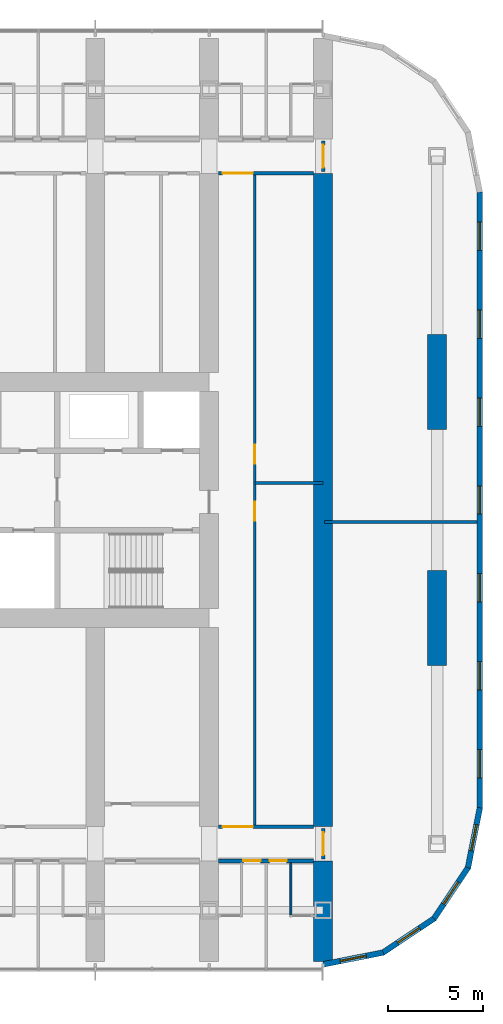
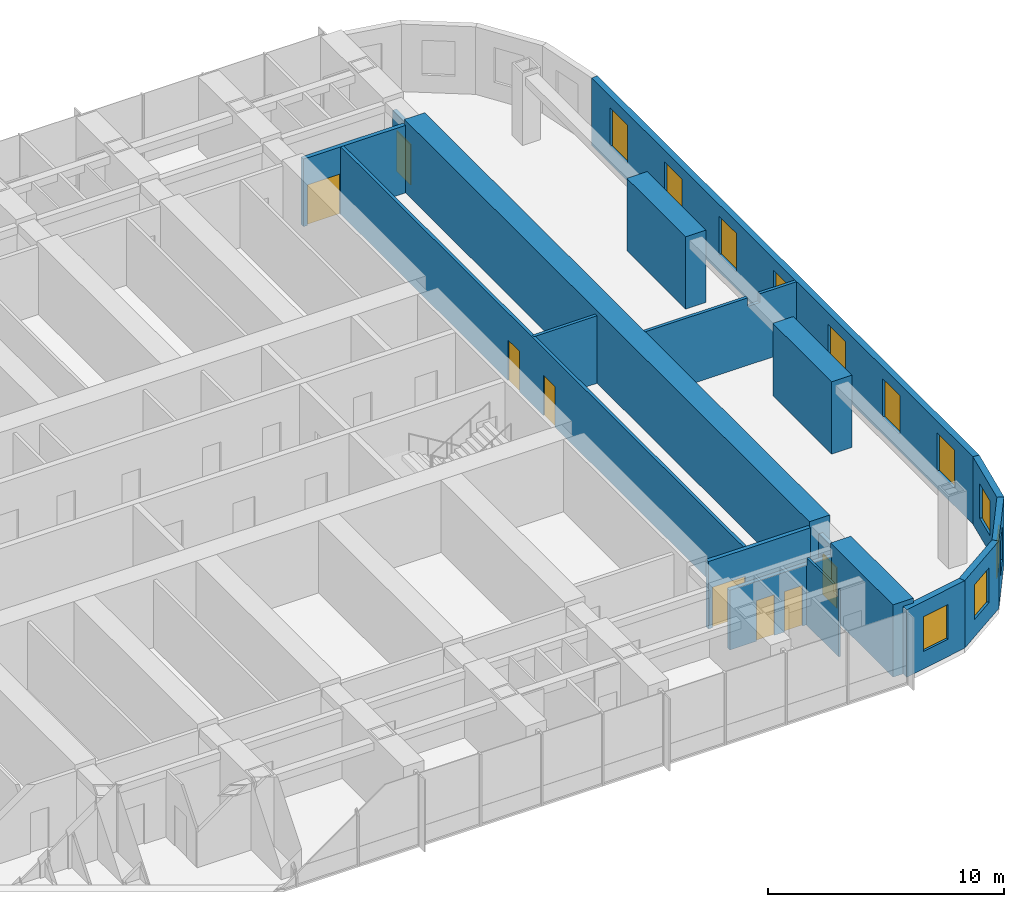
# One storey, part 17 of 23: 18 walls, 11 windows, 8 doors, 19 openings.
"""IFC4 building model written with IfcOpenShell, lengths in metres."""

from ifc_helpers import new_model, si_unit, direction, frame, frame_2d, origin, place, context, subcontext, project, spatial, polyline, rectangle, outline, extrude, material, layer, layer_set, type_object, element, fill, save


model = new_model("IFC4")

# Units and contexts
model_context = context("Model", 3, precision=1e-05, world=origin(), true_north=direction((0.0, 1.0)))
body_context = subcontext(model_context, "Body", "Model", "MODEL_VIEW")
ifc_project = project(units=[si_unit("LENGTHUNIT", "METRE"), si_unit("AREAUNIT", "SQUARE_METRE"), si_unit("VOLUMEUNIT", "CUBIC_METRE"), si_unit("PLANEANGLEUNIT", "RADIAN"), si_unit("MASSUNIT", "GRAM", prefix="KILO")], contexts=[model_context])

# Site, building, storey
site_placement = place(None, origin())
site = spatial("IfcSite", under=ifc_project, at=site_placement, CompositionType="ELEMENT")
building_placement = place(site_placement, origin())
building = spatial("IfcBuilding", under=site, at=building_placement, Name="Orbita Commons", CompositionType="ELEMENT")
storey_placement = place(building_placement, frame((0.0, 0.0, 42.699951171875)))
storey = spatial("IfcBuildingStorey", under=building, at=storey_placement, Name="L10", CompositionType="ELEMENT", Elevation=42.699951171875)

# Wall, openings, doors
ifc_material_1 = material(Name="Concrete blockwork", Category="masonry")
ifc_layer_1 = layer(ifc_material_1, 0.199951171875)
ifc_layer_set_1 = layer_set([ifc_layer_1], Name="Concrete blockwork")
wall_type_1 = type_object("IfcWallType", Name="Corridor wall 200 blockwork", PredefinedType="SOLIDWALL", material=ifc_layer_set_1)
wall_1_placement = place(storey_placement, frame((66.5, 13.0, 0.0), z_axis=(0.0, 0.0, 1.0), x_axis=(1.0, 0.0, 0.0)))
wall_1 = element("IfcWall", 1, at=wall_1_placement, inside=storey, type_object=wall_type_1, Name="Corridor wall 200 blockwork L10", PredefinedType="SOLIDWALL", context=body_context, shape_type="SweptSolid", body=[
    extrude(outline(polyline([(0.0, 0.0), (5.0, 0.0), (5.0, 3.10009765625), (0.0, 3.10009765625), (0.0, 0.0)])), frame((0.0, 0.10009765625, 0.0), z_axis=(0.0, -1.0, 0.0), x_axis=(1.0, 0.0, 0.0)), (0.0, 0.0, 1.0), 0.199951171875),
])
opening_1_placement = place(wall_1_placement, frame((1.300048828125, 0.0, 0.0)))
opening_1 = element("IfcOpeningElement", 2, at=opening_1_placement, cuts=wall_1, Name="Opening D11", PredefinedType="OPENING", context=body_context, shape_type="SweptSolid", body=[
    extrude(rectangle(XDim=0.89990234375, YDim=2.10009765625, at=frame_2d((0.449951171875, 1.050048828125))), frame((0.0, 0.10986328125, 0.0), z_axis=(0.0, -1.0, 0.0), x_axis=(1.0, 0.0, 0.0)), (0.0, 0.0, 1.0), 0.219970703125),
])
opening_2_placement = place(wall_1_placement, frame((2.675048828125, 0.0, 0.0)))
opening_2 = element("IfcOpeningElement", 3, at=opening_2_placement, cuts=wall_1, Name="Opening D11", PredefinedType="OPENING", context=body_context, shape_type="SweptSolid", body=[
    extrude(rectangle(XDim=0.89990234375, YDim=2.10009765625, at=frame_2d((0.449951171875, 1.050048828125))), frame((0.0, 0.10986328125, 0.0), z_axis=(0.0, -1.0, 0.0), x_axis=(1.0, 0.0, 0.0)), (0.0, 0.0, 1.0), 0.219970703125),
])
ifc_material_2 = material(Name="Steel-faced fire door leaf", Category="steel")
door_type_1 = type_object("IfcDoorType", Name="Corridor door 20 min 900x2100", OperationType="SINGLE_SWING_LEFT", PredefinedType="DOOR", material=ifc_material_2)
door_1_placement = place(opening_1_placement, origin())
door_1 = element("IfcDoor", 4, at=door_1_placement, inside=storey, type_object=door_type_1, Name="House bedroom L10-S18 door", OperationType="SINGLE_SWING_LEFT", OverallHeight=2.10009765625, OverallWidth=0.89990234375, PredefinedType="DOOR", context=body_context, shape_type="SweptSolid", body=[
    extrude(rectangle(XDim=0.89990234375, YDim=2.10009765625, at=frame_2d((0.449951171875, 1.050048828125))), frame((0.0, 0.02490234375, 0.0), z_axis=(0.0, -1.0, 0.0), x_axis=(1.0, 0.0, 0.0)), (0.0, 0.0, 1.0), 0.050048828125),
])
fill(opening_1, door_1)
door_2_placement = place(opening_2_placement, origin())
door_2 = element("IfcDoor", 5, at=door_2_placement, inside=storey, type_object=door_type_1, Name="House bedroom L10-S19 door", OperationType="SINGLE_SWING_LEFT", OverallHeight=2.10009765625, OverallWidth=0.89990234375, PredefinedType="DOOR", context=body_context, shape_type="SweptSolid", body=[
    extrude(rectangle(XDim=0.89990234375, YDim=2.10009765625, at=frame_2d((0.449951171875, 1.050048828125))), frame((0.0, 0.02490234375, 0.0), z_axis=(0.0, -1.0, 0.0), x_axis=(1.0, 0.0, 0.0)), (0.0, 0.0, 1.0), 0.050048828125),
])
fill(opening_2, door_2)

# Wall, opening, door
wall_2_placement = place(storey_placement, frame((72.0, 13.10009765625, 0.0), z_axis=(0.0, 0.0, 1.0), x_axis=(0.0, 1.0, 0.0)))
wall_2 = element("IfcWall", 6, at=wall_2_placement, inside=storey, type_object=wall_type_1, Name="Corridor wall 200 blockwork L10", PredefinedType="SOLIDWALL", context=body_context, shape_type="SweptSolid", body=[
    extrude(outline(polyline([(0.0, 0.0), (1.599853515625, 0.0), (1.60009765625, 3.050048828125), (0.0, 3.050048828125), (0.0, 0.0)])), frame((0.0, 0.10009765625, 0.0), z_axis=(0.0, -1.0, 0.0), x_axis=(1.0, 0.0, 0.0)), (0.0, 0.0, 1.0), 0.199951171875),
])
opening_3_placement = place(wall_2_placement, frame((0.199951171875, 0.0, 0.0)))
opening_3 = element("IfcOpeningElement", 7, at=opening_3_placement, cuts=wall_2, Name="Opening D12", PredefinedType="OPENING", context=body_context, shape_type="SweptSolid", body=[
    extrude(rectangle(XDim=1.199951171875, YDim=2.10009765625, at=frame_2d((0.60009765625, 1.050048828125))), frame((0.0, 0.10986328125, 0.0), z_axis=(0.0, -1.0, 0.0), x_axis=(1.0, 0.0, 0.0)), (0.0, 0.0, 1.0), 0.219970703125),
])
ifc_material_3 = material(Name="Steel-faced fire door leaf", Category="steel")
door_type_2 = type_object("IfcDoorType", Name="Double corridor door 20 min 1200x2100", OperationType="DOUBLE_DOOR_SINGLE_SWING", PredefinedType="DOOR", material=ifc_material_3)
door_3_placement = place(opening_3_placement, origin())
door_3 = element("IfcDoor", 8, at=door_3_placement, inside=storey, type_object=door_type_2, Name="Lounge doors", OperationType="DOUBLE_DOOR_SINGLE_SWING", OverallHeight=2.10009765625, OverallWidth=1.199951171875, PredefinedType="DOOR", context=body_context, shape_type="SweptSolid", body=[
    extrude(rectangle(XDim=1.199951171875, YDim=2.10009765625, at=frame_2d((0.60009765625, 1.050048828125))), frame((0.0, 0.02490234375, 0.0), z_axis=(0.0, -1.0, 0.0), x_axis=(1.0, 0.0, 0.0)), (0.0, 0.0, 1.0), 0.050048828125),
])
fill(opening_3, door_3)

wall_3_placement = place(storey_placement, frame((72.0, 49.300048828125, 0.0), z_axis=(0.0, 0.0, 1.0), x_axis=(0.0, 1.0, 0.0)))
wall_3 = element("IfcWall", 9, at=wall_3_placement, inside=storey, type_object=wall_type_1, Name="Corridor wall 200 blockwork L10", PredefinedType="SOLIDWALL", context=body_context, shape_type="SweptSolid", body=[
    extrude(outline(polyline([(0.0, 0.0), (1.599853515625, 0.0), (1.60009765625, 3.050048828125), (0.0, 3.050048828125), (0.0, 0.0)])), frame((0.0, 0.10009765625, 0.0), z_axis=(0.0, -1.0, 0.0), x_axis=(1.0, 0.0, 0.0)), (0.0, 0.0, 1.0), 0.199951171875),
])
opening_4_placement = place(wall_3_placement, frame((0.199951171875, 0.0, 0.0)))
opening_4 = element("IfcOpeningElement", 10, at=opening_4_placement, cuts=wall_3, Name="Opening D12", PredefinedType="OPENING", context=body_context, shape_type="SweptSolid", body=[
    extrude(rectangle(XDim=1.199951171875, YDim=2.10009765625, at=frame_2d((0.60009765625, 1.050048828125))), frame((0.0, 0.10986328125, 0.0), z_axis=(0.0, -1.0, 0.0), x_axis=(1.0, 0.0, 0.0)), (0.0, 0.0, 1.0), 0.219970703125),
])
door_4_placement = place(opening_4_placement, origin())
door_4 = element("IfcDoor", 11, at=door_4_placement, inside=storey, type_object=door_type_2, Name="Lounge doors", OperationType="DOUBLE_DOOR_SINGLE_SWING", OverallHeight=2.10009765625, OverallWidth=1.199951171875, PredefinedType="DOOR", context=body_context, shape_type="SweptSolid", body=[
    extrude(rectangle(XDim=1.199951171875, YDim=2.10009765625, at=frame_2d((0.60009765625, 1.050048828125))), frame((0.0, 0.02490234375, 0.0), z_axis=(0.0, -1.0, 0.0), x_axis=(1.0, 0.0, 0.0)), (0.0, 0.0, 1.0), 0.050048828125),
])
fill(opening_4, door_4)

ifc_material_4 = material(Name="Hollow concrete block 200", Category="concrete")
ifc_layer_2 = layer(ifc_material_4, 0.199951171875)
ifc_layer_set_2 = layer_set([ifc_layer_2], Name="Hollow concrete block 200")
wall_type_2 = type_object("IfcWallType", Name="Corridor wall 200 hollow concrete block", PredefinedType="SOLIDWALL", material=ifc_layer_set_2)
wall_4_placement = place(storey_placement, frame((66.5, 14.800048828125, 0.0), z_axis=(0.0, 0.0, 1.0), x_axis=(1.0, 0.0, 0.0)))
wall_4 = element("IfcWall", 12, at=wall_4_placement, inside=storey, type_object=wall_type_2, Name="Corridor wall 200 hollow concrete block L10", PredefinedType="SOLIDWALL", context=body_context, shape_type="SweptSolid", body=[
    extrude(rectangle(XDim=5.0, YDim=0.199951171875, at=frame_2d((2.5, 0.0))), origin(), (0.0, 0.0, 1.0), 3.5),
])
opening_5_placement = place(wall_4_placement, frame((0.199951171875, 0.0, 0.0)))
opening_5 = element("IfcOpeningElement", 13, at=opening_5_placement, cuts=wall_4, Name="Opening D10", PredefinedType="OPENING", context=body_context, shape_type="SweptSolid", body=[
    extrude(rectangle(XDim=1.60009765625, YDim=2.10009765625, at=frame_2d((0.800048828125, 1.050048828125))), frame((0.0, 0.10986328125, 0.0), z_axis=(0.0, -1.0, 0.0), x_axis=(1.0, 0.0, 0.0)), (0.0, 0.0, 1.0), 0.219970703125),
])
ifc_material_5 = material(Name="Steel-faced fire door leaf", Category="steel")
door_type_3 = type_object("IfcDoorType", Name="Double corridor door 20 min 1600x2100", OperationType="DOUBLE_DOOR_SINGLE_SWING", PredefinedType="DOOR", material=ifc_material_5)
door_5_placement = place(opening_5_placement, origin())
door_5 = element("IfcDoor", 14, at=door_5_placement, inside=storey, type_object=door_type_3, Name="Cross corridor doors", OperationType="DOUBLE_DOOR_SINGLE_SWING", OverallHeight=2.10009765625, OverallWidth=1.60009765625, PredefinedType="DOOR", context=body_context, shape_type="SweptSolid", body=[
    extrude(rectangle(XDim=1.60009765625, YDim=2.10009765625, at=frame_2d((0.800048828125, 1.050048828125))), frame((0.0, 0.02490234375, 0.0), z_axis=(0.0, -1.0, 0.0), x_axis=(1.0, 0.0, 0.0)), (0.0, 0.0, 1.0), 0.050048828125),
])
fill(opening_5, door_5)

wall_5_placement = place(storey_placement, frame((66.5, 49.199951171875, 0.0), z_axis=(0.0, 0.0, 1.0), x_axis=(1.0, 0.0, 0.0)))
wall_5 = element("IfcWall", 15, at=wall_5_placement, inside=storey, type_object=wall_type_2, Name="Corridor wall 200 hollow concrete block L10", PredefinedType="SOLIDWALL", context=body_context, shape_type="SweptSolid", body=[
    extrude(rectangle(XDim=5.0, YDim=0.199951171875, at=frame_2d((2.5, 0.0))), origin(), (0.0, 0.0, 1.0), 3.5),
])
opening_6_placement = place(wall_5_placement, frame((0.199951171875, 0.0, 0.0)))
opening_6 = element("IfcOpeningElement", 16, at=opening_6_placement, cuts=wall_5, Name="Opening D10", PredefinedType="OPENING", context=body_context, shape_type="SweptSolid", body=[
    extrude(rectangle(XDim=1.60009765625, YDim=2.10009765625, at=frame_2d((0.800048828125, 1.050048828125))), frame((0.0, 0.10986328125, 0.0), z_axis=(0.0, -1.0, 0.0), x_axis=(1.0, 0.0, 0.0)), (0.0, 0.0, 1.0), 0.219970703125),
])
door_6_placement = place(opening_6_placement, origin())
door_6 = element("IfcDoor", 17, at=door_6_placement, inside=storey, type_object=door_type_3, Name="Cross corridor doors", OperationType="DOUBLE_DOOR_SINGLE_SWING", OverallHeight=2.10009765625, OverallWidth=1.60009765625, PredefinedType="DOOR", context=body_context, shape_type="SweptSolid", body=[
    extrude(rectangle(XDim=1.60009765625, YDim=2.10009765625, at=frame_2d((0.800048828125, 1.050048828125))), frame((0.0, 0.02490234375, 0.0), z_axis=(0.0, -1.0, 0.0), x_axis=(1.0, 0.0, 0.0)), (0.0, 0.0, 1.0), 0.050048828125),
])
fill(opening_6, door_6)

# Walls
ifc_material_6 = material(Name="Concrete C50/60", Category="concrete")
ifc_layer_3 = layer(ifc_material_6, 1.0)
ifc_layer_set_3 = layer_set([ifc_layer_3], Name="Concrete C50/60")
wall_type_3 = type_object("IfcWallType", Name="Cross wall 1000 C50/60", PredefinedType="SHEAR", material=ifc_layer_set_3)
wall_6_placement = place(storey_placement, frame((72.0, 7.699951171875, 0.0), z_axis=(0.0, 0.0, 1.0), x_axis=(0.0, 1.0, 0.0)))
element("IfcWall", 18, at=wall_6_placement, inside=storey, type_object=wall_type_3, Name="Cross wall 13 south outer L10", PredefinedType="SHEAR", context=body_context, shape_type="SweptSolid", body=[
    extrude(rectangle(XDim=5.300048828125, YDim=1.0, at=frame_2d((2.64990234375, 0.0))), origin(), (0.0, 0.0, 1.0), 3.75),
])
wall_7_placement = place(storey_placement, frame((72.0, 14.800048828125, 0.0), z_axis=(0.0, 0.0, 1.0), x_axis=(0.0, 1.0, 0.0)))
element("IfcWall", 19, at=wall_7_placement, inside=storey, type_object=wall_type_3, Name="Cross wall 13 inner L10", PredefinedType="SHEAR", context=body_context, shape_type="SweptSolid", body=[
    extrude(rectangle(XDim=34.39990234375, YDim=1.0, at=frame_2d((17.199951171875, 0.0))), origin(), (0.0, 0.0, 1.0), 3.75),
])
ifc_material_7 = material(Name="Moisture-resistant plasterboard on steel studs", Category="steel")
ifc_layer_4 = layer(ifc_material_7, 0.10009765625)
ifc_layer_set_4 = layer_set([ifc_layer_4], Name="Moisture-resistant plasterboard on steel studs")
wall_type_4 = type_object("IfcWallType", Name="En-suite partition 100", PredefinedType="PARTITIONING", material=ifc_layer_set_4)
wall_8_placement = place(storey_placement, frame((70.300048828125, 10.14990234375, 0.0), z_axis=(0.0, 0.0, 1.0), x_axis=(0.0, 1.0, 0.0)))
element("IfcWall", 20, at=wall_8_placement, inside=storey, type_object=wall_type_4, Name="En-suite partition 100 L10", PredefinedType="PARTITIONING", context=body_context, shape_type="SweptSolid", body=[
    extrude(outline(polyline([(0.0, 0.0), (2.75, 0.0), (2.75, 3.10009765625), (2.701904296875, 3.10009765625), (2.699951171875, 3.5), (0.451904296875, 3.5), (0.449951171875, 3.10009765625), (0.052001953125, 3.10009765625), (0.050048828125, 3.5), (0.0, 3.5), (0.0, 0.0)])), frame((0.0, 0.050048828125, 0.0), z_axis=(0.0, -1.0, 0.0), x_axis=(1.0, 0.0, 0.0)), (0.0, 0.0, 1.0), 0.10009765625),
])
ifc_material_8 = material(Name="Concrete C50/60", Category="concrete")
ifc_layer_5 = layer(ifc_material_8, 1.0)
ifc_layer_set_5 = layer_set([ifc_layer_5], Name="Concrete C50/60")
wall_type_5 = type_object("IfcWallType", Name="End pier 1000x5000 C50/60", PredefinedType="SHEAR", material=ifc_layer_set_5)
for number, where, z_axis, x_axis, name in (
    (21, (78.0, 23.300048828125, 0.0), (0.0, 0.0, 1.0), (0.0, 1.0, 0.0), "End pier 14/C L10"),
    (22, (78.0, 35.699951171875, 0.0), (0.0, 0.0, 1.0), (0.0, 1.0, 0.0), "End pier 14/D L10"),
):
    element("IfcWall", number, at=place(storey_placement, frame(where, z_axis=z_axis, x_axis=x_axis)), inside=storey, type_object=wall_type_5, Name=name, PredefinedType="SHEAR", context=body_context, shape_type="SweptSolid", body=[
        extrude(rectangle(XDim=5.0, YDim=1.0, at=frame_2d((2.5, 0.0))), origin(), (0.0, 0.0, 1.0), 3.75),
    ])

# Wall, openings, doors
ifc_material_9 = material(Name="Gypsum plasterboard on steel studs", Category="steel")
ifc_layer_6 = layer(ifc_material_9, 0.14990234375)
ifc_layer_set_6 = layer_set([ifc_layer_6], Name="Gypsum plasterboard on steel studs")
wall_type_6 = type_object("IfcWallType", Name="Partition 150 plasterboard", PredefinedType="PARTITIONING", material=ifc_layer_set_6)
wall_9_placement = place(storey_placement, frame((68.39990234375, 14.89990234375, 0.0), z_axis=(0.0, 0.0, 1.0), x_axis=(0.0, 1.0, 0.0)))
wall_9 = element("IfcWall", 23, at=wall_9_placement, inside=storey, type_object=wall_type_6, Name="Partition 150 plasterboard L10", PredefinedType="PARTITIONING", context=body_context, shape_type="SweptSolid", body=[
    extrude(rectangle(XDim=34.2001953125, YDim=0.14990234375, at=frame_2d((17.10009765625, 0.0))), origin(), (0.0, 0.0, 1.0), 3.5),
])
opening_7_placement = place(wall_9_placement, frame((16.0, 0.0, 0.0)))
opening_7 = element("IfcOpeningElement", 24, at=opening_7_placement, cuts=wall_9, Name="Opening D06", PredefinedType="OPENING", context=body_context, shape_type="SweptSolid", body=[
    extrude(rectangle(XDim=1.0, YDim=2.10009765625, at=frame_2d((0.5, 1.050048828125))), frame((0.0, 0.0849609375, 0.0), z_axis=(0.0, -1.0, 0.0), x_axis=(1.0, 0.0, 0.0)), (0.0, 0.0, 1.0), 0.169921875),
])
opening_8_placement = place(wall_9_placement, frame((19.0, 0.0, 0.0)))
opening_8 = element("IfcOpeningElement", 25, at=opening_8_placement, cuts=wall_9, Name="Opening D06", PredefinedType="OPENING", context=body_context, shape_type="SweptSolid", body=[
    extrude(rectangle(XDim=1.0, YDim=2.10009765625, at=frame_2d((0.5, 1.050048828125))), frame((0.0, 0.0849609375, 0.0), z_axis=(0.0, -1.0, 0.0), x_axis=(1.0, 0.0, 0.0)), (0.0, 0.0, 1.0), 0.169921875),
])
ifc_material_10 = material(Name="Steel-faced fire door leaf", Category="steel")
door_type_4 = type_object("IfcDoorType", Name="Corridor door 20 min 1000x2100", OperationType="SINGLE_SWING_LEFT", PredefinedType="DOOR", material=ifc_material_10)
door_7_placement = place(opening_7_placement, origin())
door_7 = element("IfcDoor", 26, at=door_7_placement, inside=storey, type_object=door_type_4, Name="Prayer room door", OperationType="SINGLE_SWING_LEFT", OverallHeight=2.10009765625, OverallWidth=1.0, PredefinedType="DOOR", context=body_context, shape_type="SweptSolid", body=[
    extrude(rectangle(XDim=1.0, YDim=2.10009765625, at=frame_2d((0.5, 1.050048828125))), frame((0.0, 0.02490234375, 0.0), z_axis=(0.0, -1.0, 0.0), x_axis=(1.0, 0.0, 0.0)), (0.0, 0.0, 1.0), 0.050048828125),
])
fill(opening_7, door_7)
door_8_placement = place(opening_8_placement, origin())
door_8 = element("IfcDoor", 27, at=door_8_placement, inside=storey, type_object=door_type_4, Name="Quiet room en door", OperationType="SINGLE_SWING_LEFT", OverallHeight=2.10009765625, OverallWidth=1.0, PredefinedType="DOOR", context=body_context, shape_type="SweptSolid", body=[
    extrude(rectangle(XDim=1.0, YDim=2.10009765625, at=frame_2d((0.5, 1.050048828125))), frame((0.0, 0.02490234375, 0.0), z_axis=(0.0, -1.0, 0.0), x_axis=(1.0, 0.0, 0.0)), (0.0, 0.0, 1.0), 0.050048828125),
])
fill(opening_8, door_8)

# Walls
wall_10_placement = place(storey_placement, frame((68.39990234375, 32.89990234375, 0.0), z_axis=(0.0, 0.0, 1.0), x_axis=(1.0, 0.0, 0.0)))
element("IfcWall", 28, at=wall_10_placement, inside=storey, type_object=wall_type_6, Name="Partition 150 plasterboard L10", PredefinedType="PARTITIONING", context=body_context, shape_type="SweptSolid", body=[
    extrude(rectangle(XDim=3.60009765625, YDim=0.14990234375, at=frame_2d((1.800048828125, 0.0))), origin(), (0.0, 0.0, 1.0), 3.5),
])
wall_11_placement = place(storey_placement, frame((72.074951171875, 30.85009765625, 0.0), z_axis=(0.0, 0.0, 1.0), x_axis=(1.0, 0.0, 0.0)))
element("IfcWall", 29, at=wall_11_placement, inside=storey, type_object=wall_type_6, Name="Partition 150 plasterboard L10", PredefinedType="PARTITIONING", context=body_context, shape_type="SweptSolid", body=[
    extrude(outline(polyline([(0.0, 0.0), (8.02001953125, 0.0), (8.02001953125, 3.5), (6.22705078125, 3.5), (6.22509765625, 3.050048828125), (5.626953125, 3.050048828125), (5.625, 3.5), (0.0, 3.5), (0.0, 0.0)])), frame((0.0, 0.074951171875, 0.0), z_axis=(0.0, -1.0, 0.0), x_axis=(1.0, 0.0, 0.0)), (0.0, 0.0, 1.0), 0.14990234375),
])

# Wall, openings, windows
ifc_material_11 = material(Name="Precast concrete C40/50, white board-marked finish", Category="concrete")
ifc_layer_7 = layer(ifc_material_11, 0.300048828125)
ifc_layer_set_7 = layer_set([ifc_layer_7], Name="Precast concrete C40/50, white board-marked finish")
wall_type_7 = type_object("IfcWallType", Name="Precast concrete end shield 300", PredefinedType="SOLIDWALL", material=ifc_layer_set_7)
wall_12_placement = place(storey_placement, frame((80.25, 15.800048828125, 0.0), z_axis=(0.0, 0.0, 1.0), x_axis=(0.0, 1.0, 0.0)))
wall_12 = element("IfcWall", 30, at=wall_12_placement, inside=storey, type_object=wall_type_7, Name="End shield E L10", PredefinedType="SOLIDWALL", context=body_context, shape_type="SweptSolid", body=[
    extrude(outline(polyline([(-0.014892578125, -0.14990234375), (32.414794921875, -0.14990234375), (32.385009765625, 0.14990234375), (0.014892578125, 0.14990234375), (-0.014892578125, -0.14990234375)])), origin(), (0.0, 0.0, 1.0), 3.5),
])
opening_9_placement = place(wall_12_placement, frame((1.564208984375, 0.0, 0.89990234375)))
opening_9 = element("IfcOpeningElement", 31, at=opening_9_placement, cuts=wall_12, Name="Opening W01", PredefinedType="OPENING", context=body_context, shape_type="SweptSolid", body=[
    extrude(rectangle(XDim=1.5, YDim=2.0, at=frame_2d((0.75, 1.0))), frame((0.0, 0.159912109375, 0.0), z_axis=(0.0, -1.0, 0.0), x_axis=(1.0, 0.0, 0.0)), (0.0, 0.0, 1.0), 0.320068359375),
])
opening_10_placement = place(wall_12_placement, frame((6.19287109375, 0.0, 0.89990234375)))
opening_10 = element("IfcOpeningElement", 32, at=opening_10_placement, cuts=wall_12, Name="Opening W01", PredefinedType="OPENING", context=body_context, shape_type="SweptSolid", body=[
    extrude(rectangle(XDim=1.5, YDim=2.0, at=frame_2d((0.75, 1.0))), frame((0.0, 0.159912109375, 0.0), z_axis=(0.0, -1.0, 0.0), x_axis=(1.0, 0.0, 0.0)), (0.0, 0.0, 1.0), 0.320068359375),
])
opening_11_placement = place(wall_12_placement, frame((10.821533203125, 0.0, 0.89990234375)))
opening_11 = element("IfcOpeningElement", 33, at=opening_11_placement, cuts=wall_12, Name="Opening W01", PredefinedType="OPENING", context=body_context, shape_type="SweptSolid", body=[
    extrude(rectangle(XDim=1.5, YDim=2.0, at=frame_2d((0.75, 1.0))), frame((0.0, 0.159912109375, 0.0), z_axis=(0.0, -1.0, 0.0), x_axis=(1.0, 0.0, 0.0)), (0.0, 0.0, 1.0), 0.320068359375),
])
opening_12_placement = place(wall_12_placement, frame((15.449951171875, 0.0, 0.89990234375)))
opening_12 = element("IfcOpeningElement", 34, at=opening_12_placement, cuts=wall_12, Name="Opening W01", PredefinedType="OPENING", context=body_context, shape_type="SweptSolid", body=[
    extrude(rectangle(XDim=1.5, YDim=2.0, at=frame_2d((0.75, 1.0))), frame((0.0, 0.159912109375, 0.0), z_axis=(0.0, -1.0, 0.0), x_axis=(1.0, 0.0, 0.0)), (0.0, 0.0, 1.0), 0.320068359375),
])
opening_13_placement = place(wall_12_placement, frame((20.07861328125, 0.0, 0.89990234375)))
opening_13 = element("IfcOpeningElement", 35, at=opening_13_placement, cuts=wall_12, Name="Opening W01", PredefinedType="OPENING", context=body_context, shape_type="SweptSolid", body=[
    extrude(rectangle(XDim=1.5, YDim=2.0, at=frame_2d((0.75, 1.0))), frame((0.0, 0.159912109375, 0.0), z_axis=(0.0, -1.0, 0.0), x_axis=(1.0, 0.0, 0.0)), (0.0, 0.0, 1.0), 0.320068359375),
])
opening_14_placement = place(wall_12_placement, frame((24.70703125, 0.0, 0.89990234375)))
opening_14 = element("IfcOpeningElement", 36, at=opening_14_placement, cuts=wall_12, Name="Opening W01", PredefinedType="OPENING", context=body_context, shape_type="SweptSolid", body=[
    extrude(rectangle(XDim=1.5, YDim=2.0, at=frame_2d((0.75, 1.0))), frame((0.0, 0.159912109375, 0.0), z_axis=(0.0, -1.0, 0.0), x_axis=(1.0, 0.0, 0.0)), (0.0, 0.0, 1.0), 0.320068359375),
])
opening_15_placement = place(wall_12_placement, frame((29.335693359375, 0.0, 0.89990234375)))
opening_15 = element("IfcOpeningElement", 37, at=opening_15_placement, cuts=wall_12, Name="Opening W01", PredefinedType="OPENING", context=body_context, shape_type="SweptSolid", body=[
    extrude(rectangle(XDim=1.5, YDim=2.0, at=frame_2d((0.75, 1.0))), frame((0.0, 0.159912109375, 0.0), z_axis=(0.0, -1.0, 0.0), x_axis=(1.0, 0.0, 0.0)), (0.0, 0.0, 1.0), 0.320068359375),
])
ifc_material_12 = material(Name="Aluminium frame, clear double glazing", Category="aluminium")
window_type_1 = type_object("IfcWindowType", Name="Deep-set window 1500x2000", PartitioningType="SINGLE_PANEL", PredefinedType="WINDOW", material=ifc_material_12)
window_1_placement = place(opening_9_placement, origin())
window_1 = element("IfcWindow", 38, at=window_1_placement, inside=storey, type_object=window_type_1, Name="Window L10-E 1", OverallHeight=2.0, OverallWidth=1.5, PartitioningType="SINGLE_PANEL", PredefinedType="WINDOW", context=body_context, shape_type="SweptSolid", body=[
    extrude(rectangle(XDim=1.5, YDim=2.0, at=frame_2d((0.75, 1.0))), frame((0.0, 0.030029296875, 0.0), z_axis=(0.0, -1.0, 0.0), x_axis=(1.0, 0.0, 0.0)), (0.0, 0.0, 1.0), 0.06005859375),
])
fill(opening_9, window_1)
window_2_placement = place(opening_10_placement, origin())
window_2 = element("IfcWindow", 39, at=window_2_placement, inside=storey, type_object=window_type_1, Name="Window L10-E 2", OverallHeight=2.0, OverallWidth=1.5, PartitioningType="SINGLE_PANEL", PredefinedType="WINDOW", context=body_context, shape_type="SweptSolid", body=[
    extrude(rectangle(XDim=1.5, YDim=2.0, at=frame_2d((0.75, 1.0))), frame((0.0, 0.030029296875, 0.0), z_axis=(0.0, -1.0, 0.0), x_axis=(1.0, 0.0, 0.0)), (0.0, 0.0, 1.0), 0.06005859375),
])
fill(opening_10, window_2)
window_3_placement = place(opening_11_placement, origin())
window_3 = element("IfcWindow", 40, at=window_3_placement, inside=storey, type_object=window_type_1, Name="Window L10-E 3", OverallHeight=2.0, OverallWidth=1.5, PartitioningType="SINGLE_PANEL", PredefinedType="WINDOW", context=body_context, shape_type="SweptSolid", body=[
    extrude(rectangle(XDim=1.5, YDim=2.0, at=frame_2d((0.75, 1.0))), frame((0.0, 0.030029296875, 0.0), z_axis=(0.0, -1.0, 0.0), x_axis=(1.0, 0.0, 0.0)), (0.0, 0.0, 1.0), 0.06005859375),
])
fill(opening_11, window_3)
window_4_placement = place(opening_12_placement, origin())
window_4 = element("IfcWindow", 41, at=window_4_placement, inside=storey, type_object=window_type_1, Name="Window L10-E 4", OverallHeight=2.0, OverallWidth=1.5, PartitioningType="SINGLE_PANEL", PredefinedType="WINDOW", context=body_context, shape_type="SweptSolid", body=[
    extrude(rectangle(XDim=1.5, YDim=2.0, at=frame_2d((0.75, 1.0))), frame((0.0, 0.030029296875, 0.0), z_axis=(0.0, -1.0, 0.0), x_axis=(1.0, 0.0, 0.0)), (0.0, 0.0, 1.0), 0.06005859375),
])
fill(opening_12, window_4)
window_5_placement = place(opening_13_placement, origin())
window_5 = element("IfcWindow", 42, at=window_5_placement, inside=storey, type_object=window_type_1, Name="Window L10-E 5", OverallHeight=2.0, OverallWidth=1.5, PartitioningType="SINGLE_PANEL", PredefinedType="WINDOW", context=body_context, shape_type="SweptSolid", body=[
    extrude(rectangle(XDim=1.5, YDim=2.0, at=frame_2d((0.75, 1.0))), frame((0.0, 0.030029296875, 0.0), z_axis=(0.0, -1.0, 0.0), x_axis=(1.0, 0.0, 0.0)), (0.0, 0.0, 1.0), 0.06005859375),
])
fill(opening_13, window_5)
window_6_placement = place(opening_14_placement, origin())
window_6 = element("IfcWindow", 43, at=window_6_placement, inside=storey, type_object=window_type_1, Name="Window L10-E 6", OverallHeight=2.0, OverallWidth=1.5, PartitioningType="SINGLE_PANEL", PredefinedType="WINDOW", context=body_context, shape_type="SweptSolid", body=[
    extrude(rectangle(XDim=1.5, YDim=2.0, at=frame_2d((0.75, 1.0))), frame((0.0, 0.030029296875, 0.0), z_axis=(0.0, -1.0, 0.0), x_axis=(1.0, 0.0, 0.0)), (0.0, 0.0, 1.0), 0.06005859375),
])
fill(opening_14, window_6)
window_7_placement = place(opening_15_placement, origin())
window_7 = element("IfcWindow", 44, at=window_7_placement, inside=storey, type_object=window_type_1, Name="Window L10-E 7", OverallHeight=2.0, OverallWidth=1.5, PartitioningType="SINGLE_PANEL", PredefinedType="WINDOW", context=body_context, shape_type="SweptSolid", body=[
    extrude(rectangle(XDim=1.5, YDim=2.0, at=frame_2d((0.75, 1.0))), frame((0.0, 0.030029296875, 0.0), z_axis=(0.0, -1.0, 0.0), x_axis=(1.0, 0.0, 0.0)), (0.0, 0.0, 1.0), 0.06005859375),
])
fill(opening_15, window_7)

# Wall, opening, window
wall_13_placement = place(storey_placement, frame((72.0, 7.550048828125, 0.0), z_axis=(0.0, 0.0, 1.0), x_axis=(0.980787251524, 0.195080412259, 0.0)))
wall_13 = element("IfcWall", 45, at=wall_13_placement, inside=storey, type_object=wall_type_7, Name="End shield SE chord 1 L10", PredefinedType="SOLIDWALL", context=body_context, shape_type="SweptSolid", body=[
    extrude(outline(polyline([(-0.02978515625, -0.14990234375), (3.24853515625, -0.14990234375), (3.18896484375, 0.14990234375), (0.02978515625, 0.14990234375), (-0.02978515625, -0.14990234375)])), origin(), (0.0, 0.0, 1.0), 3.5),
])
opening_16_placement = place(wall_13_placement, frame((0.909423828125, 0.0, 0.89990234375)))
opening_16 = element("IfcOpeningElement", 46, at=opening_16_placement, cuts=wall_13, Name="Opening W02", PredefinedType="OPENING", context=body_context, shape_type="SweptSolid", body=[
    extrude(rectangle(XDim=1.39990234375, YDim=1.800048828125, at=frame_2d((0.699951171875, 0.89990234375))), frame((0.0, 0.159912109375, 0.0), z_axis=(0.0, -1.0, 0.0), x_axis=(1.0, 0.0, 0.0)), (0.0, 0.0, 1.0), 0.320068359375),
])
ifc_material_13 = material(Name="Aluminium frame, clear double glazing", Category="aluminium")
window_type_2 = type_object("IfcWindowType", Name="Deep-set window 1400x1800", PartitioningType="SINGLE_PANEL", PredefinedType="WINDOW", material=ifc_material_13)
window_8_placement = place(opening_16_placement, origin())
window_8 = element("IfcWindow", 47, at=window_8_placement, inside=storey, type_object=window_type_2, Name="Window L10-SE0", OverallHeight=1.800048828125, OverallWidth=1.39990234375, PartitioningType="SINGLE_PANEL", PredefinedType="WINDOW", context=body_context, shape_type="SweptSolid", body=[
    extrude(rectangle(XDim=1.39990234375, YDim=1.800048828125, at=frame_2d((0.699951171875, 0.89990234375))), frame((0.0, 0.030029296875, 0.0), z_axis=(0.0, -1.0, 0.0), x_axis=(1.0, 0.0, 0.0)), (0.0, 0.0, 1.0), 0.06005859375),
])
fill(opening_16, window_8)

wall_14_placement = place(storey_placement, frame((75.156982421875, 8.177978515625, 0.0), z_axis=(0.0, 0.0, 1.0), x_axis=(0.831478105043, 0.555557522525, 0.0)))
wall_14 = element("IfcWall", 48, at=wall_14_placement, inside=storey, type_object=wall_type_7, Name="End shield SE chord 2 L10", PredefinedType="SOLIDWALL", context=body_context, shape_type="SweptSolid", body=[
    extrude(outline(polyline([(-0.02978515625, -0.14990234375), (3.248779296875, -0.14990234375), (3.189208984375, 0.14990234375), (0.02978515625, 0.14990234375), (-0.02978515625, -0.14990234375)])), origin(), (0.0, 0.0, 1.0), 3.5),
])
opening_17_placement = place(wall_14_placement, frame((0.909423828125, 0.0, 0.89990234375)))
opening_17 = element("IfcOpeningElement", 49, at=opening_17_placement, cuts=wall_14, Name="Opening W02", PredefinedType="OPENING", context=body_context, shape_type="SweptSolid", body=[
    extrude(rectangle(XDim=1.39990234375, YDim=1.800048828125, at=frame_2d((0.699951171875, 0.89990234375))), frame((0.0, 0.159912109375, 0.0), z_axis=(0.0, -1.0, 0.0), x_axis=(1.0, 0.0, 0.0)), (0.0, 0.0, 1.0), 0.320068359375),
])
window_9_placement = place(opening_17_placement, origin())
window_9 = element("IfcWindow", 50, at=window_9_placement, inside=storey, type_object=window_type_2, Name="Window L10-SE1", OverallHeight=1.800048828125, OverallWidth=1.39990234375, PartitioningType="SINGLE_PANEL", PredefinedType="WINDOW", context=body_context, shape_type="SweptSolid", body=[
    extrude(rectangle(XDim=1.39990234375, YDim=1.800048828125, at=frame_2d((0.699951171875, 0.89990234375))), frame((0.0, 0.030029296875, 0.0), z_axis=(0.0, -1.0, 0.0), x_axis=(1.0, 0.0, 0.0)), (0.0, 0.0, 1.0), 0.06005859375),
])
fill(opening_17, window_9)

wall_15_placement = place(storey_placement, frame((77.83349609375, 9.96630859375, 0.0), z_axis=(0.0, 0.0, 1.0), x_axis=(0.555609954424, 0.831443069936, 0.0)))
wall_15 = element("IfcWall", 51, at=wall_15_placement, inside=storey, type_object=wall_type_7, Name="End shield SE chord 3 L10", PredefinedType="SOLIDWALL", context=body_context, shape_type="SweptSolid", body=[
    extrude(outline(polyline([(-0.02978515625, -0.14990234375), (3.2490234375, -0.14990234375), (3.189453125, 0.14990234375), (0.02978515625, 0.14990234375), (-0.02978515625, -0.14990234375)])), origin(), (0.0, 0.0, 1.0), 3.5),
])
opening_18_placement = place(wall_15_placement, frame((0.909423828125, 0.0, 0.89990234375)))
opening_18 = element("IfcOpeningElement", 52, at=opening_18_placement, cuts=wall_15, Name="Opening W02", PredefinedType="OPENING", context=body_context, shape_type="SweptSolid", body=[
    extrude(rectangle(XDim=1.39990234375, YDim=1.800048828125, at=frame_2d((0.699951171875, 0.89990234375))), frame((0.0, 0.159912109375, 0.0), z_axis=(0.0, -1.0, 0.0), x_axis=(1.0, 0.0, 0.0)), (0.0, 0.0, 1.0), 0.320068359375),
])
window_10_placement = place(opening_18_placement, origin())
window_10 = element("IfcWindow", 53, at=window_10_placement, inside=storey, type_object=window_type_2, Name="Window L10-SE2", OverallHeight=1.800048828125, OverallWidth=1.39990234375, PartitioningType="SINGLE_PANEL", PredefinedType="WINDOW", context=body_context, shape_type="SweptSolid", body=[
    extrude(rectangle(XDim=1.39990234375, YDim=1.800048828125, at=frame_2d((0.699951171875, 0.89990234375))), frame((0.0, 0.030029296875, 0.0), z_axis=(0.0, -1.0, 0.0), x_axis=(1.0, 0.0, 0.0)), (0.0, 0.0, 1.0), 0.06005859375),
])
fill(opening_18, window_10)

wall_16_placement = place(storey_placement, frame((79.6220703125, 12.642822265625, 0.0), z_axis=(0.0, 0.0, 1.0), x_axis=(0.195065901187, 0.980790137692, 0.0)))
wall_16 = element("IfcWall", 54, at=wall_16_placement, inside=storey, type_object=wall_type_7, Name="End shield SE chord 4 L10", PredefinedType="SOLIDWALL", context=body_context, shape_type="SweptSolid", body=[
    extrude(outline(polyline([(-0.02978515625, -0.14990234375), (3.23388671875, -0.14990234375), (3.2041015625, 0.14990234375), (0.02978515625, 0.14990234375), (-0.02978515625, -0.14990234375)])), origin(), (0.0, 0.0, 1.0), 3.5),
])
opening_19_placement = place(wall_16_placement, frame((0.909423828125, 0.0, 0.89990234375)))
opening_19 = element("IfcOpeningElement", 55, at=opening_19_placement, cuts=wall_16, Name="Opening W02", PredefinedType="OPENING", context=body_context, shape_type="SweptSolid", body=[
    extrude(rectangle(XDim=1.39990234375, YDim=1.800048828125, at=frame_2d((0.699951171875, 0.89990234375))), frame((0.0, 0.159912109375, 0.0), z_axis=(0.0, -1.0, 0.0), x_axis=(1.0, 0.0, 0.0)), (0.0, 0.0, 1.0), 0.320068359375),
])
window_11_placement = place(opening_19_placement, origin())
window_11 = element("IfcWindow", 56, at=window_11_placement, inside=storey, type_object=window_type_2, Name="Window L10-SE3", OverallHeight=1.800048828125, OverallWidth=1.39990234375, PartitioningType="SINGLE_PANEL", PredefinedType="WINDOW", context=body_context, shape_type="SweptSolid", body=[
    extrude(rectangle(XDim=1.39990234375, YDim=1.800048828125, at=frame_2d((0.699951171875, 0.89990234375))), frame((0.0, 0.030029296875, 0.0), z_axis=(0.0, -1.0, 0.0), x_axis=(1.0, 0.0, 0.0)), (0.0, 0.0, 1.0), 0.06005859375),
])
fill(opening_19, window_11)

save(model, "model.ifc")
